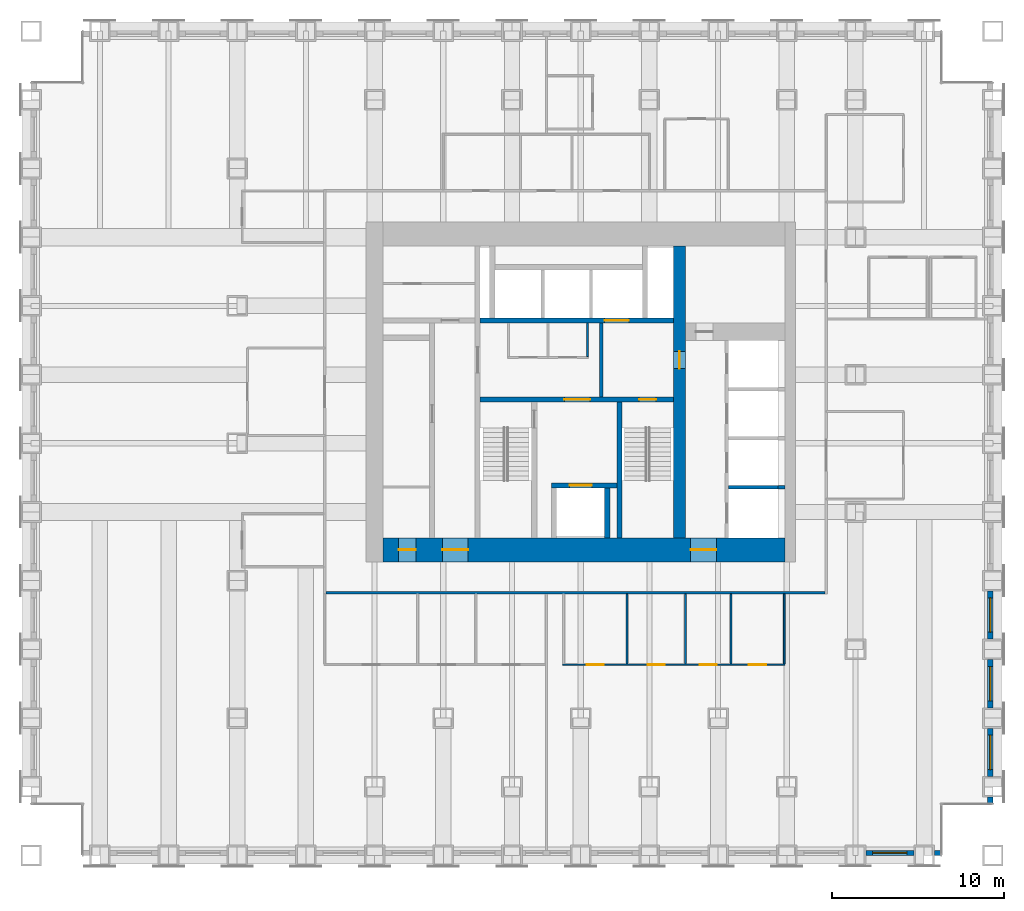
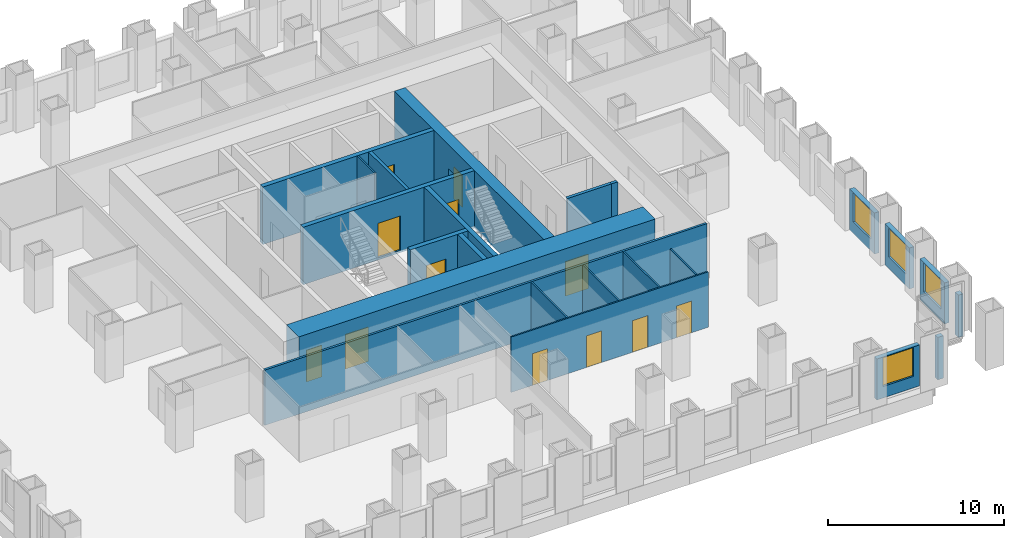
# One storey, part 9 of 14: 23 walls, 12 doors, 4 windows, 16 openings.
"""IFC4 building model written with IfcOpenShell, lengths in metres."""

from ifc_helpers import new_model, si_unit, direction, frame, frame_2d, origin, place, context, subcontext, project, spatial, rectangle, extrude, material, layer, layer_set, type_object, element, fill, save


model = new_model("IFC4")

# Units and contexts
model_context = context("Model", 3, precision=1e-05, world=origin(), true_north=direction((0.0, 1.0)))
body_context = subcontext(model_context, "Body", "Model", "MODEL_VIEW")
ifc_project = project(units=[si_unit("LENGTHUNIT", "METRE"), si_unit("AREAUNIT", "SQUARE_METRE"), si_unit("VOLUMEUNIT", "CUBIC_METRE"), si_unit("PLANEANGLEUNIT", "RADIAN"), si_unit("MASSUNIT", "GRAM", prefix="KILO")], contexts=[model_context])

# Site, building, storey
site_placement = place(None, origin())
site = spatial("IfcSite", under=ifc_project, at=site_placement, CompositionType="ELEMENT")
building_placement = place(site_placement, origin())
building = spatial("IfcBuilding", under=site, at=building_placement, Name="Rimbunsela Tower", CompositionType="ELEMENT")
storey_placement = place(building_placement, frame((0.0, 0.0, 55.0)))
storey = spatial("IfcBuildingStorey", under=building, at=storey_placement, Name="L13", CompositionType="ELEMENT", Elevation=55.0)

# Wall, openings, doors
ifc_material_1 = material(Name="Concrete fc' 80 MPa", Category="concrete")
ifc_layer_1 = layer(ifc_material_1, 0.300048828125)
ifc_layer_set_1 = layer_set([ifc_layer_1], Name="Core internal wall 300")
wall_type_1 = type_object("IfcWallType", Name="Core internal wall 300", PredefinedType="SHEAR", material=ifc_layer_set_1)
wall_1_placement = place(storey_placement, frame((24.14990234375, 26.550048828125, -0.14990234375), z_axis=(0.0, 0.0, 1.0), x_axis=(1.0, 0.0, 0.0)))
wall_1 = element("IfcWall", 1, at=wall_1_placement, inside=storey, type_object=wall_type_1, Name="Core wall lobby south", PredefinedType="SHEAR", context=body_context, shape_type="SweptSolid", body=[
    extrude(rectangle(XDim=11.25, YDim=0.300048828125, at=frame_2d((5.625, 0.0))), origin(), (0.0, 0.0, 1.0), 4.0),
])
opening_1_placement = place(wall_1_placement, frame((9.25, 0.0, 0.14990234375)))
opening_1 = element("IfcOpeningElement", 2, at=opening_1_placement, cuts=wall_1, Name="Opening D01", PredefinedType="OPENING", context=body_context, shape_type="SweptSolid", body=[
    extrude(rectangle(XDim=1.0, YDim=2.199951171875, at=frame_2d((0.5, 1.10009765625))), frame((0.0, 0.159912109375, 0.0), z_axis=(0.0, -1.0, 0.0), x_axis=(1.0, 0.0, 0.0)), (0.0, 0.0, 1.0), 0.320068359375),
])
opening_2_placement = place(wall_1_placement, frame((4.89990234375, 0.0, 0.14990234375)))
opening_2 = element("IfcOpeningElement", 3, at=opening_2_placement, cuts=wall_1, Name="Opening D03", PredefinedType="OPENING", context=body_context, shape_type="SweptSolid", body=[
    extrude(rectangle(XDim=1.5, YDim=2.39990234375, at=frame_2d((0.75, 1.199951171875))), frame((0.0, 0.159912109375, 0.0), z_axis=(0.0, -1.0, 0.0), x_axis=(1.0, 0.0, 0.0)), (0.0, 0.0, 1.0), 0.320068359375),
])
ifc_material_2 = material(Name="Steel door, fire rated", Category="steel")
door_type_1 = type_object("IfcDoorType", Name="Core lobby door 1500", OperationType="DOUBLE_DOOR_DOUBLE_SWING", PredefinedType="DOOR", material=ifc_material_2)
door_1_placement = place(opening_2_placement, origin())
door_1 = element("IfcDoor", 4, at=door_1_placement, inside=storey, type_object=door_type_1, Name="Firefighting lobby door", OperationType="DOUBLE_DOOR_DOUBLE_SWING", OverallHeight=2.39990234375, OverallWidth=1.5, PredefinedType="DOOR", context=body_context, shape_type="SweptSolid", body=[
    extrude(rectangle(XDim=1.5, YDim=2.39990234375, at=frame_2d((0.75, 1.199951171875))), frame((0.0, 0.02490234375, 0.0), z_axis=(0.0, -1.0, 0.0), x_axis=(1.0, 0.0, 0.0)), (0.0, 0.0, 1.0), 0.050048828125),
])
fill(opening_2, door_1)
ifc_material_3 = material(Name="Steel door, fire rated", Category="steel")
door_type_2 = type_object("IfcDoorType", Name="Stair door 1000", OperationType="SINGLE_SWING_RIGHT", PredefinedType="DOOR", material=ifc_material_3)
door_2_placement = place(opening_1_placement, frame((1.0, 0.0, 0.0), z_axis=(0.0, 0.0, 1.0), x_axis=(-1.0, 0.0, 0.0)))
door_2 = element("IfcDoor", 5, at=door_2_placement, inside=storey, type_object=door_type_2, Name="Stair B door", OperationType="SINGLE_SWING_RIGHT", OverallHeight=2.199951171875, OverallWidth=1.0, PredefinedType="DOOR", context=body_context, shape_type="SweptSolid", body=[
    extrude(rectangle(XDim=1.0, YDim=2.199951171875, at=frame_2d((0.5, 1.10009765625))), frame((0.0, 0.02490234375, 0.0), z_axis=(0.0, -1.0, 0.0), x_axis=(1.0, 0.0, 0.0)), (0.0, 0.0, 1.0), 0.050048828125),
])
fill(opening_1, door_2)

# Walls
wall_2_placement = place(storey_placement, frame((32.25, 18.5, -0.14990234375), z_axis=(0.0, 0.0, 1.0), x_axis=(0.0, 1.0, 0.0)))
element("IfcWall", 6, at=wall_2_placement, inside=storey, type_object=wall_type_1, Name="Stair B enclosure", PredefinedType="SHEAR", context=body_context, shape_type="SweptSolid", body=[
    extrude(rectangle(XDim=7.89990234375, YDim=0.300048828125, at=frame_2d((3.949951171875, 0.0))), origin(), (0.0, 0.0, 1.0), 4.0),
])
wall_3_placement = place(storey_placement, frame((31.550048828125, 18.5, -0.14990234375), z_axis=(0.0, 0.0, 1.0), x_axis=(0.0, 1.0, 0.0)))
element("IfcWall", 7, at=wall_3_placement, inside=storey, type_object=wall_type_1, Name="Firefighting lift shaft east", PredefinedType="SHEAR", context=body_context, shape_type="SweptSolid", body=[
    extrude(rectangle(XDim=2.89990234375, YDim=0.300048828125, at=frame_2d((1.449951171875, 0.0))), origin(), (0.0, 0.0, 1.0), 4.0),
])

# Wall, opening, door
wall_4_placement = place(storey_placement, frame((28.300048828125, 21.550048828125, -0.14990234375), z_axis=(0.0, 0.0, 1.0), x_axis=(1.0, 0.0, 0.0)))
wall_4 = element("IfcWall", 8, at=wall_4_placement, inside=storey, type_object=wall_type_1, Name="Firefighting lift shaft front", PredefinedType="SHEAR", context=body_context, shape_type="SweptSolid", body=[
    extrude(rectangle(XDim=3.800048828125, YDim=0.300048828125, at=frame_2d((1.89990234375, 0.0))), origin(), (0.0, 0.0, 1.0), 4.0),
])
opening_3_placement = place(wall_4_placement, frame((1.050048828125, 0.0, 0.14990234375)))
opening_3 = element("IfcOpeningElement", 9, at=opening_3_placement, cuts=wall_4, Name="Opening LD2", PredefinedType="OPENING", context=body_context, shape_type="SweptSolid", body=[
    extrude(rectangle(XDim=1.300048828125, YDim=2.39990234375, at=frame_2d((0.64990234375, 1.199951171875))), frame((0.0, 0.159912109375, 0.0), z_axis=(0.0, -1.0, 0.0), x_axis=(1.0, 0.0, 0.0)), (0.0, 0.0, 1.0), 0.320068359375),
])
ifc_material_4 = material(Name="Steel door, fire rated", Category="steel")
door_type_3 = type_object("IfcDoorType", Name="Lift landing door 1300", OperationType="DOUBLE_DOOR_SLIDING", PredefinedType="DOOR", material=ifc_material_4)
door_3_placement = place(opening_3_placement, origin())
door_3 = element("IfcDoor", 10, at=door_3_placement, inside=storey, type_object=door_type_3, Name="Lift landing door FL1", OperationType="DOUBLE_DOOR_SLIDING", OverallHeight=2.39990234375, OverallWidth=1.300048828125, PredefinedType="DOOR", context=body_context, shape_type="SweptSolid", body=[
    extrude(rectangle(XDim=1.300048828125, YDim=2.39990234375, at=frame_2d((0.64990234375, 1.199951171875))), frame((0.0, 0.02490234375, 0.0), z_axis=(0.0, -1.0, 0.0), x_axis=(1.0, 0.0, 0.0)), (0.0, 0.0, 1.0), 0.050048828125),
])
fill(opening_3, door_3)

wall_5_placement = place(storey_placement, frame((24.14990234375, 31.14990234375, -0.14990234375), z_axis=(0.0, 0.0, 1.0), x_axis=(1.0, 0.0, 0.0)))
wall_5 = element("IfcWall", 11, at=wall_5_placement, inside=storey, type_object=wall_type_1, Name="Lift shaft front north", PredefinedType="SHEAR", context=body_context, shape_type="SweptSolid", body=[
    extrude(rectangle(XDim=11.25, YDim=0.300048828125, at=frame_2d((5.625, 0.0))), origin(), (0.0, 0.0, 1.0), 4.0),
])
opening_4_placement = place(wall_5_placement, frame((7.25, 0.0, 0.14990234375)))
opening_4 = element("IfcOpeningElement", 12, at=opening_4_placement, cuts=wall_5, Name="Opening LD3", PredefinedType="OPENING", context=body_context, shape_type="SweptSolid", body=[
    extrude(rectangle(XDim=1.39990234375, YDim=2.39990234375, at=frame_2d((0.699951171875, 1.199951171875))), frame((0.0, 0.159912109375, 0.0), z_axis=(0.0, -1.0, 0.0), x_axis=(1.0, 0.0, 0.0)), (0.0, 0.0, 1.0), 0.320068359375),
])
ifc_material_5 = material(Name="Steel door, fire rated", Category="steel")
door_type_4 = type_object("IfcDoorType", Name="Lift landing door 1400", OperationType="DOUBLE_DOOR_SLIDING", PredefinedType="DOOR", material=ifc_material_5)
door_4_placement = place(opening_4_placement, origin())
door_4 = element("IfcDoor", 13, at=door_4_placement, inside=storey, type_object=door_type_4, Name="Lift landing door FL2", OperationType="DOUBLE_DOOR_SLIDING", OverallHeight=2.39990234375, OverallWidth=1.39990234375, PredefinedType="DOOR", context=body_context, shape_type="SweptSolid", body=[
    extrude(rectangle(XDim=1.39990234375, YDim=2.39990234375, at=frame_2d((0.699951171875, 1.199951171875))), frame((0.0, 0.02490234375, 0.0), z_axis=(0.0, -1.0, 0.0), x_axis=(1.0, 0.0, 0.0)), (0.0, 0.0, 1.0), 0.050048828125),
])
fill(opening_4, door_4)

# Wall
ifc_material_6 = material(Name="Concrete blockwork", Category="masonry")
ifc_layer_2 = layer(ifc_material_6, 0.10009765625)
ifc_layer_set_2 = layer_set([ifc_layer_2], Name="Core room partition 100")
wall_type_2 = type_object("IfcWallType", Name="Core room partition 100", PredefinedType="PARTITIONING", material=ifc_layer_set_2)
wall_6_placement = place(storey_placement, frame((30.39990234375, 29.050048828125, 0.0), z_axis=(0.0, 0.0, 1.0), x_axis=(0.0, 1.0, 0.0)))
element("IfcWall", 14, at=wall_6_placement, inside=storey, type_object=wall_type_2, Name="Lobby room wall", PredefinedType="PARTITIONING", context=body_context, shape_type="SweptSolid", body=[
    extrude(rectangle(XDim=1.949951171875, YDim=0.10009765625, at=frame_2d((0.97509765625, 0.0))), origin(), (0.0, 0.0, 1.0), 3.85009765625),
])

# Wall, openings, doors
ifc_material_7 = material(Name="Concrete fc' 80 MPa", Category="concrete")
ifc_layer_3 = layer(ifc_material_7, 1.39990234375)
ifc_layer_set_3 = layer_set([ifc_layer_3], Name="Core wall 1400")
wall_type_3 = type_object("IfcWallType", Name="Core wall 1400", PredefinedType="SHEAR", material=ifc_layer_set_3)
wall_7_placement = place(storey_placement, frame((18.5, 17.800048828125, -0.14990234375), z_axis=(0.0, 0.0, 1.0), x_axis=(1.0, 0.0, 0.0)))
wall_7 = element("IfcWall", 15, at=wall_7_placement, inside=storey, type_object=wall_type_3, Name="Core wall south", PredefinedType="SHEAR", context=body_context, shape_type="SweptSolid", body=[
    extrude(rectangle(XDim=23.39990234375, YDim=1.39990234375, at=frame_2d((11.699951171875, 0.0))), origin(), (0.0, 0.0, 1.0), 4.0),
])
opening_5_placement = place(wall_7_placement, frame((3.449951171875, 0.0, 0.14990234375)))
opening_5 = element("IfcOpeningElement", 16, at=opening_5_placement, cuts=wall_7, Name="Opening D03", PredefinedType="OPENING", context=body_context, shape_type="SweptSolid", body=[
    extrude(rectangle(XDim=1.5, YDim=2.39990234375, at=frame_2d((0.75, 1.199951171875))), frame((0.0, 0.7099609375, 0.0), z_axis=(0.0, -1.0, 0.0), x_axis=(1.0, 0.0, 0.0)), (0.0, 0.0, 1.0), 1.419921875),
])
opening_6_placement = place(wall_7_placement, frame((17.89990234375, 0.0, 0.14990234375)))
opening_6 = element("IfcOpeningElement", 17, at=opening_6_placement, cuts=wall_7, Name="Opening D03", PredefinedType="OPENING", context=body_context, shape_type="SweptSolid", body=[
    extrude(rectangle(XDim=1.5, YDim=2.39990234375, at=frame_2d((0.75, 1.199951171875))), frame((0.0, 0.7099609375, 0.0), z_axis=(0.0, -1.0, 0.0), x_axis=(1.0, 0.0, 0.0)), (0.0, 0.0, 1.0), 1.419921875),
])
opening_7_placement = place(wall_7_placement, frame((0.89990234375, 0.0, 0.14990234375)))
opening_7 = element("IfcOpeningElement", 18, at=opening_7_placement, cuts=wall_7, Name="Opening D19", PredefinedType="OPENING", context=body_context, shape_type="SweptSolid", body=[
    extrude(rectangle(XDim=1.0, YDim=2.199951171875, at=frame_2d((0.5, 1.10009765625))), frame((0.0, 0.7099609375, 0.0), z_axis=(0.0, -1.0, 0.0), x_axis=(1.0, 0.0, 0.0)), (0.0, 0.0, 1.0), 1.419921875),
])
door_5_placement = place(opening_5_placement, origin())
door_5 = element("IfcDoor", 19, at=door_5_placement, inside=storey, type_object=door_type_1, Name="Core door south", OperationType="DOUBLE_DOOR_DOUBLE_SWING", OverallHeight=2.39990234375, OverallWidth=1.5, PredefinedType="DOOR", context=body_context, shape_type="SweptSolid", body=[
    extrude(rectangle(XDim=1.5, YDim=2.39990234375, at=frame_2d((0.75, 1.199951171875))), frame((0.0, 0.02490234375, 0.0), z_axis=(0.0, -1.0, 0.0), x_axis=(1.0, 0.0, 0.0)), (0.0, 0.0, 1.0), 0.050048828125),
])
fill(opening_5, door_5)
door_6_placement = place(opening_6_placement, origin())
door_6 = element("IfcDoor", 20, at=door_6_placement, inside=storey, type_object=door_type_1, Name="Core door south-east", OperationType="DOUBLE_DOOR_DOUBLE_SWING", OverallHeight=2.39990234375, OverallWidth=1.5, PredefinedType="DOOR", context=body_context, shape_type="SweptSolid", body=[
    extrude(rectangle(XDim=1.5, YDim=2.39990234375, at=frame_2d((0.75, 1.199951171875))), frame((0.0, 0.02490234375, 0.0), z_axis=(0.0, -1.0, 0.0), x_axis=(1.0, 0.0, 0.0)), (0.0, 0.0, 1.0), 0.050048828125),
])
fill(opening_6, door_6)
ifc_material_8 = material(Name="Steel door, fire rated", Category="steel")
door_type_5 = type_object("IfcDoorType", Name="Service door 1000 fire rated", OperationType="SINGLE_SWING_LEFT", PredefinedType="DOOR", material=ifc_material_8)
door_7_placement = place(opening_7_placement, origin())
door_7 = element("IfcDoor", 21, at=door_7_placement, inside=storey, type_object=door_type_5, Name="Electrical room door", OperationType="SINGLE_SWING_LEFT", OverallHeight=2.199951171875, OverallWidth=1.0, PredefinedType="DOOR", context=body_context, shape_type="SweptSolid", body=[
    extrude(rectangle(XDim=1.0, YDim=2.199951171875, at=frame_2d((0.5, 1.10009765625))), frame((0.0, 0.02490234375, 0.0), z_axis=(0.0, -1.0, 0.0), x_axis=(1.0, 0.0, 0.0)), (0.0, 0.0, 1.0), 0.050048828125),
])
fill(opening_7, door_7)

# Wall, opening, door
ifc_material_9 = material(Name="Concrete fc' 80 MPa", Category="concrete")
ifc_layer_4 = layer(ifc_material_9, 0.699951171875)
ifc_layer_set_4 = layer_set([ifc_layer_4], Name="Core wall 700 east")
wall_type_4 = type_object("IfcWallType", Name="Core wall 700 east", PredefinedType="SHEAR", material=ifc_layer_set_4)
wall_8_placement = place(storey_placement, frame((35.75, 18.5, -0.14990234375), z_axis=(0.0, 0.0, 1.0), x_axis=(0.0, 1.0, 0.0)))
wall_8 = element("IfcWall", 22, at=wall_8_placement, inside=storey, type_object=wall_type_4, Name="Core wall low-rise bank", PredefinedType="SHEAR", context=body_context, shape_type="SweptSolid", body=[
    extrude(rectangle(XDim=17.0, YDim=0.699951171875, at=frame_2d((8.5, 0.0))), origin(), (0.0, 0.0, 1.0), 4.0),
])
opening_8_placement = place(wall_8_placement, frame((9.85009765625, 0.0, 0.14990234375)))
opening_8 = element("IfcOpeningElement", 23, at=opening_8_placement, cuts=wall_8, Name="Opening D01", PredefinedType="OPENING", context=body_context, shape_type="SweptSolid", body=[
    extrude(rectangle(XDim=1.0, YDim=2.199951171875, at=frame_2d((0.5, 1.10009765625))), frame((0.0, 0.35986328125, 0.0), z_axis=(0.0, -1.0, 0.0), x_axis=(1.0, 0.0, 0.0)), (0.0, 0.0, 1.0), 0.719970703125),
])
door_8_placement = place(opening_8_placement, origin())
door_8 = element("IfcDoor", 24, at=door_8_placement, inside=storey, type_object=door_type_2, Name="Firefighting lobby 2 door", OperationType="SINGLE_SWING_RIGHT", OverallHeight=2.199951171875, OverallWidth=1.0, PredefinedType="DOOR", context=body_context, shape_type="SweptSolid", body=[
    extrude(rectangle(XDim=1.0, YDim=2.199951171875, at=frame_2d((0.5, 1.10009765625))), frame((0.0, 0.02490234375, 0.0), z_axis=(0.0, -1.0, 0.0), x_axis=(1.0, 0.0, 0.0)), (0.0, 0.0, 1.0), 0.050048828125),
])
fill(opening_8, door_8)

# Walls
ifc_material_10 = material(Name="Concrete blockwork", Category="masonry")
ifc_layer_5 = layer(ifc_material_10, 0.199951171875)
ifc_layer_set_5 = layer_set([ifc_layer_5], Name="Lift shaft wall 200")
wall_type_5 = type_object("IfcWallType", Name="Lift shaft wall 200", PredefinedType="SOLIDWALL", material=ifc_layer_set_5)
wall_9_placement = place(storey_placement, frame((38.60009765625, 21.449951171875, -0.14990234375), z_axis=(0.0, 0.0, 1.0), x_axis=(1.0, 0.0, 0.0)))
element("IfcWall", 25, at=wall_9_placement, inside=storey, type_object=wall_type_5, Name="Lift shaft separation", PredefinedType="SOLIDWALL", context=body_context, shape_type="SweptSolid", body=[
    extrude(rectangle(XDim=2.89990234375, YDim=0.199951171875, at=frame_2d((1.449951171875, 0.0))), origin(), (0.0, 0.0, 1.0), 4.0),
])
wall_10_placement = place(storey_placement, frame((41.5, 21.449951171875, -0.14990234375), z_axis=(0.0, 0.0, 1.0), x_axis=(1.0, 0.0, 0.0)))
element("IfcWall", 26, at=wall_10_placement, inside=storey, type_object=wall_type_5, Name="Lift shaft separation", PredefinedType="SOLIDWALL", context=body_context, shape_type="SweptSolid", body=[
    extrude(rectangle(XDim=0.39990234375, YDim=0.199951171875, at=frame_2d((0.199951171875, 0.0))), origin(), (0.0, 0.0, 1.0), 4.0),
])
wall_11_placement = place(storey_placement, frame((31.199951171875, 26.699951171875, 0.0), z_axis=(0.0, 0.0, 1.0), x_axis=(0.0, 1.0, 0.0)))
element("IfcWall", 27, at=wall_11_placement, inside=storey, type_object=wall_type_5, Name="Firefighting lobby 2 wall", PredefinedType="SOLIDWALL", context=body_context, shape_type="SweptSolid", body=[
    extrude(rectangle(XDim=4.300048828125, YDim=0.199951171875, at=frame_2d((2.14990234375, 0.0))), origin(), (0.0, 0.0, 1.0), 3.85009765625),
])

# Wall, openings, doors
ifc_material_11 = material(Name="Gypsum board on steel studs", Category="steel")
ifc_layer_6 = layer(ifc_material_11, 0.10009765625)
ifc_layer_set_6 = layer_set([ifc_layer_6], Name="Office partition 100")
wall_type_6 = type_object("IfcWallType", Name="Office partition 100", PredefinedType="PARTITIONING", material=ifc_layer_set_6)
wall_12_placement = place(storey_placement, frame((28.948974609375, 11.10009765625, 0.0), z_axis=(0.0, 0.0, 1.0), x_axis=(1.0, 0.0, 0.0)))
wall_12 = element("IfcWall", 28, at=wall_12_placement, inside=storey, type_object=wall_type_6, Name="Office partition", PredefinedType="PARTITIONING", context=body_context, shape_type="SweptSolid", body=[
    extrude(rectangle(XDim=12.949951171875, YDim=0.10009765625, at=frame_2d((6.47509765625, 0.0))), origin(), (0.0, 0.0, 1.0), 3.85009765625),
])
opening_9_placement = place(wall_12_placement, frame((1.39990234375, 0.0, 0.0)))
opening_9 = element("IfcOpeningElement", 29, at=opening_9_placement, cuts=wall_12, Name="Opening D17", PredefinedType="OPENING", context=body_context, shape_type="SweptSolid", body=[
    extrude(rectangle(XDim=1.0, YDim=2.199951171875, at=frame_2d((0.5, 1.10009765625))), frame((0.0, 0.06005859375, 0.0), z_axis=(0.0, -1.0, 0.0), x_axis=(1.0, 0.0, 0.0)), (0.0, 0.0, 1.0), 0.1201171875),
])
opening_10_placement = place(wall_12_placement, frame((4.949951171875, 0.0, 0.0)))
opening_10 = element("IfcOpeningElement", 30, at=opening_10_placement, cuts=wall_12, Name="Opening D16", PredefinedType="OPENING", context=body_context, shape_type="SweptSolid", body=[
    extrude(rectangle(XDim=1.0, YDim=2.199951171875, at=frame_2d((0.5, 1.10009765625))), frame((0.0, 0.06005859375, 0.0), z_axis=(0.0, -1.0, 0.0), x_axis=(1.0, 0.0, 0.0)), (0.0, 0.0, 1.0), 0.1201171875),
])
opening_11_placement = place(wall_12_placement, frame((7.97509765625, 0.0, 0.0)))
opening_11 = element("IfcOpeningElement", 31, at=opening_11_placement, cuts=wall_12, Name="Opening D16", PredefinedType="OPENING", context=body_context, shape_type="SweptSolid", body=[
    extrude(rectangle(XDim=1.0, YDim=2.199951171875, at=frame_2d((0.5, 1.10009765625))), frame((0.0, 0.06005859375, 0.0), z_axis=(0.0, -1.0, 0.0), x_axis=(1.0, 0.0, 0.0)), (0.0, 0.0, 1.0), 0.1201171875),
])
opening_12_placement = place(wall_12_placement, frame((10.85009765625, 0.0, 0.0)))
opening_12 = element("IfcOpeningElement", 32, at=opening_12_placement, cuts=wall_12, Name="Opening D16", PredefinedType="OPENING", context=body_context, shape_type="SweptSolid", body=[
    extrude(rectangle(XDim=1.0, YDim=2.199951171875, at=frame_2d((0.5, 1.10009765625))), frame((0.0, 0.06005859375, 0.0), z_axis=(0.0, -1.0, 0.0), x_axis=(1.0, 0.0, 0.0)), (0.0, 0.0, 1.0), 0.1201171875),
])
ifc_material_12 = material(Name="Glazed aluminium door", Category="aluminium")
door_type_6 = type_object("IfcDoorType", Name="Meeting room door 1000 glazed", OperationType="SINGLE_SWING_RIGHT", PredefinedType="DOOR", material=ifc_material_12)
door_9_placement = place(opening_9_placement, origin())
door_9 = element("IfcDoor", 33, at=door_9_placement, inside=storey, type_object=door_type_6, Name="Meeting room door", OperationType="SINGLE_SWING_RIGHT", OverallHeight=2.199951171875, OverallWidth=1.0, PredefinedType="DOOR", context=body_context, shape_type="SweptSolid", body=[
    extrude(rectangle(XDim=1.0, YDim=2.199951171875, at=frame_2d((0.5, 1.10009765625))), frame((0.0, 0.02490234375, 0.0), z_axis=(0.0, -1.0, 0.0), x_axis=(1.0, 0.0, 0.0)), (0.0, 0.0, 1.0), 0.050048828125),
])
fill(opening_9, door_9)
ifc_material_13 = material(Name="Timber door", Category="wood")
door_type_7 = type_object("IfcDoorType", Name="Office door 1000", OperationType="SINGLE_SWING_LEFT", PredefinedType="DOOR", material=ifc_material_13)
door_10_placement = place(opening_10_placement, origin())
door_10 = element("IfcDoor", 34, at=door_10_placement, inside=storey, type_object=door_type_7, Name="Office door", OperationType="SINGLE_SWING_LEFT", OverallHeight=2.199951171875, OverallWidth=1.0, PredefinedType="DOOR", context=body_context, shape_type="SweptSolid", body=[
    extrude(rectangle(XDim=1.0, YDim=2.199951171875, at=frame_2d((0.5, 1.10009765625))), frame((0.0, 0.02490234375, 0.0), z_axis=(0.0, -1.0, 0.0), x_axis=(1.0, 0.0, 0.0)), (0.0, 0.0, 1.0), 0.050048828125),
])
fill(opening_10, door_10)
door_11_placement = place(opening_11_placement, origin())
door_11 = element("IfcDoor", 35, at=door_11_placement, inside=storey, type_object=door_type_7, Name="Office door", OperationType="SINGLE_SWING_LEFT", OverallHeight=2.199951171875, OverallWidth=1.0, PredefinedType="DOOR", context=body_context, shape_type="SweptSolid", body=[
    extrude(rectangle(XDim=1.0, YDim=2.199951171875, at=frame_2d((0.5, 1.10009765625))), frame((0.0, 0.02490234375, 0.0), z_axis=(0.0, -1.0, 0.0), x_axis=(1.0, 0.0, 0.0)), (0.0, 0.0, 1.0), 0.050048828125),
])
fill(opening_11, door_11)
door_12_placement = place(opening_12_placement, origin())
door_12 = element("IfcDoor", 36, at=door_12_placement, inside=storey, type_object=door_type_7, Name="Office door", OperationType="SINGLE_SWING_LEFT", OverallHeight=2.199951171875, OverallWidth=1.0, PredefinedType="DOOR", context=body_context, shape_type="SweptSolid", body=[
    extrude(rectangle(XDim=1.0, YDim=2.199951171875, at=frame_2d((0.5, 1.10009765625))), frame((0.0, 0.02490234375, 0.0), z_axis=(0.0, -1.0, 0.0), x_axis=(1.0, 0.0, 0.0)), (0.0, 0.0, 1.0), 0.050048828125),
])
fill(opening_12, door_12)

# Walls
for number, where, z_axis, x_axis, name in (
    (37, (32.698974609375, 11.14990234375, 0.0), (0.0, 0.0, 1.0), (0.0, 1.0, 0.0), "Office partition"),
    (38, (36.09912109375, 11.14990234375, 0.0), (0.0, 0.0, 1.0), (0.0, 1.0, 0.0), "Office partition"),
    (39, (38.7490234375, 11.14990234375, 0.0), (0.0, 0.0, 1.0), (0.0, 1.0, 0.0), "Office partition"),
):
    element("IfcWall", number, at=place(storey_placement, frame(where, z_axis=z_axis, x_axis=x_axis)), inside=storey, type_object=wall_type_6, Name=name, PredefinedType="PARTITIONING", context=body_context, shape_type="SweptSolid", body=[
        extrude(rectangle(XDim=4.0751953125, YDim=0.10009765625, at=frame_2d((2.03759765625, 0.0))), origin(), (0.0, 0.0, 1.0), 3.85009765625),
    ])
wall_13_placement = place(storey_placement, frame((41.84912109375, 11.14990234375, 0.0), z_axis=(0.0, 0.0, 1.0), x_axis=(0.0, 1.0, 0.0)))
element("IfcWall", 40, at=wall_13_placement, inside=storey, type_object=wall_type_6, Name="Office partition", PredefinedType="PARTITIONING", context=body_context, shape_type="SweptSolid", body=[
    extrude(rectangle(XDim=4.0751953125, YDim=0.10009765625, at=frame_2d((2.03759765625, 0.0))), origin(), (0.0, 0.0, 1.0), 2.949951171875),
])

# Wall, opening, window
ifc_material_14 = material(Name="Precast concrete fc' 35 MPa", Category="concrete")
ifc_layer_7 = layer(ifc_material_14, 0.300048828125)
ifc_layer_set_7 = layer_set([ifc_layer_7], Name="Precast concrete fc' 35 MPa")
wall_type_7 = type_object("IfcWallType", Name="Precast facade panel 300", PredefinedType="ELEMENTEDWALL", material=ifc_layer_set_7)
wall_14_placement = place(storey_placement, frame((46.60009765625, 0.14990234375, 0.0), z_axis=(0.0, 0.0, 1.0), x_axis=(1.0, 0.0, 0.0)))
wall_14 = element("IfcWall", 41, at=wall_14_placement, inside=storey, type_object=wall_type_7, Name="Facade panel S L13", PredefinedType="ELEMENTEDWALL", context=body_context, shape_type="SweptSolid", body=[
    extrude(rectangle(XDim=2.7998046875, YDim=0.300048828125, at=frame_2d((1.39990234375, 0.0))), origin(), (0.0, 0.0, 1.0), 2.85009765625),
])
opening_13_placement = place(wall_14_placement, frame((0.39990234375, 0.0, 0.800048828125)))
opening_13 = element("IfcOpeningElement", 42, at=opening_13_placement, cuts=wall_14, Name="Opening W1", PredefinedType="OPENING", context=body_context, shape_type="SweptSolid", body=[
    extrude(rectangle(XDim=2.0, YDim=2.0, at=frame_2d((1.0, 1.0))), frame((0.0, 0.159912109375, 0.0), z_axis=(0.0, -1.0, 0.0), x_axis=(1.0, 0.0, 0.0)), (0.0, 0.0, 1.0), 0.320068359375),
])
ifc_material_15 = material(Name="Clear glass in aluminium frame", Category="aluminium")
window_type = type_object("IfcWindowType", Name="Window W1 2000x2000", PartitioningType="DOUBLE_PANEL_VERTICAL", PredefinedType="WINDOW", material=ifc_material_15)
window_1_placement = place(opening_13_placement, origin())
window_1 = element("IfcWindow", 43, at=window_1_placement, inside=storey, type_object=window_type, Name="Window L13", OverallHeight=2.0, OverallWidth=2.0, PartitioningType="SINGLE_PANEL", PredefinedType="WINDOW", context=body_context, shape_type="SweptSolid", body=[
    extrude(rectangle(XDim=2.0, YDim=2.0, at=frame_2d((1.0, 1.0))), frame((0.0, 0.030029296875, 0.0), z_axis=(0.0, -1.0, 0.0), x_axis=(1.0, 0.0, 0.0)), (0.0, 0.0, 1.0), 0.06005859375),
])
fill(opening_13, window_1)

# Walls
for number, where, z_axis, x_axis, name in (
    (44, (50.60009765625, 0.14990234375, 0.0), (0.0, 0.0, 1.0), (1.0, 0.0, 0.0), "Facade panel S L13"),
    (45, (53.85009765625, 3.030029296875, 0.0), (0.0, 0.0, 1.0), (0.0, 1.0, 0.0), "Facade panel E L13"),
):
    element("IfcWall", number, at=place(storey_placement, frame(where, z_axis=z_axis, x_axis=x_axis)), inside=storey, type_object=wall_type_7, Name=name, PredefinedType="ELEMENTEDWALL", context=body_context, shape_type="SweptSolid", body=[
        extrude(rectangle(XDim=0.369873046875, YDim=0.300048828125, at=frame_2d((0.18505859375, 0.0))), origin(), (0.0, 0.0, 1.0), 2.949951171875),
    ])

# Wall, opening, window
wall_15_placement = place(storey_placement, frame((53.85009765625, 4.60009765625, 0.0), z_axis=(0.0, 0.0, 1.0), x_axis=(0.0, 1.0, 0.0)))
wall_15 = element("IfcWall", 46, at=wall_15_placement, inside=storey, type_object=wall_type_7, Name="Facade panel E L13", PredefinedType="ELEMENTEDWALL", context=body_context, shape_type="SweptSolid", body=[
    extrude(rectangle(XDim=2.7998046875, YDim=0.300048828125, at=frame_2d((1.39990234375, 0.0))), origin(), (0.0, 0.0, 1.0), 2.85009765625),
])
opening_14_placement = place(wall_15_placement, frame((0.39990234375, 0.0, 0.800048828125)))
opening_14 = element("IfcOpeningElement", 47, at=opening_14_placement, cuts=wall_15, Name="Opening W1", PredefinedType="OPENING", context=body_context, shape_type="SweptSolid", body=[
    extrude(rectangle(XDim=2.0, YDim=2.0, at=frame_2d((1.0, 1.0))), frame((0.0, 0.159912109375, 0.0), z_axis=(0.0, -1.0, 0.0), x_axis=(1.0, 0.0, 0.0)), (0.0, 0.0, 1.0), 0.320068359375),
])
window_2_placement = place(opening_14_placement, origin())
window_2 = element("IfcWindow", 48, at=window_2_placement, inside=storey, type_object=window_type, Name="Window L13", OverallHeight=2.0, OverallWidth=2.0, PartitioningType="SINGLE_PANEL", PredefinedType="WINDOW", context=body_context, shape_type="SweptSolid", body=[
    extrude(rectangle(XDim=2.0, YDim=2.0, at=frame_2d((1.0, 1.0))), frame((0.0, 0.030029296875, 0.0), z_axis=(0.0, -1.0, 0.0), x_axis=(1.0, 0.0, 0.0)), (0.0, 0.0, 1.0), 0.06005859375),
])
fill(opening_14, window_2)

wall_16_placement = place(storey_placement, frame((53.85009765625, 8.60009765625, 0.0), z_axis=(0.0, 0.0, 1.0), x_axis=(0.0, 1.0, 0.0)))
wall_16 = element("IfcWall", 49, at=wall_16_placement, inside=storey, type_object=wall_type_7, Name="Facade panel E L13", PredefinedType="ELEMENTEDWALL", context=body_context, shape_type="SweptSolid", body=[
    extrude(rectangle(XDim=2.7998046875, YDim=0.300048828125, at=frame_2d((1.39990234375, 0.0))), origin(), (0.0, 0.0, 1.0), 2.85009765625),
])
opening_15_placement = place(wall_16_placement, frame((0.39990234375, 0.0, 0.800048828125)))
opening_15 = element("IfcOpeningElement", 50, at=opening_15_placement, cuts=wall_16, Name="Opening W1", PredefinedType="OPENING", context=body_context, shape_type="SweptSolid", body=[
    extrude(rectangle(XDim=2.0, YDim=2.0, at=frame_2d((1.0, 1.0))), frame((0.0, 0.159912109375, 0.0), z_axis=(0.0, -1.0, 0.0), x_axis=(1.0, 0.0, 0.0)), (0.0, 0.0, 1.0), 0.320068359375),
])
window_3_placement = place(opening_15_placement, origin())
window_3 = element("IfcWindow", 51, at=window_3_placement, inside=storey, type_object=window_type, Name="Window L13", OverallHeight=2.0, OverallWidth=2.0, PartitioningType="SINGLE_PANEL", PredefinedType="WINDOW", context=body_context, shape_type="SweptSolid", body=[
    extrude(rectangle(XDim=2.0, YDim=2.0, at=frame_2d((1.0, 1.0))), frame((0.0, 0.030029296875, 0.0), z_axis=(0.0, -1.0, 0.0), x_axis=(1.0, 0.0, 0.0)), (0.0, 0.0, 1.0), 0.06005859375),
])
fill(opening_15, window_3)

wall_17_placement = place(storey_placement, frame((53.85009765625, 12.60009765625, 0.0), z_axis=(0.0, 0.0, 1.0), x_axis=(0.0, 1.0, 0.0)))
wall_17 = element("IfcWall", 52, at=wall_17_placement, inside=storey, type_object=wall_type_7, Name="Facade panel E L13", PredefinedType="ELEMENTEDWALL", context=body_context, shape_type="SweptSolid", body=[
    extrude(rectangle(XDim=2.7998046875, YDim=0.300048828125, at=frame_2d((1.39990234375, 0.0))), origin(), (0.0, 0.0, 1.0), 2.85009765625),
])
opening_16_placement = place(wall_17_placement, frame((0.39990234375, 0.0, 0.800048828125)))
opening_16 = element("IfcOpeningElement", 53, at=opening_16_placement, cuts=wall_17, Name="Opening W1", PredefinedType="OPENING", context=body_context, shape_type="SweptSolid", body=[
    extrude(rectangle(XDim=2.0, YDim=2.0, at=frame_2d((1.0, 1.0))), frame((0.0, 0.159912109375, 0.0), z_axis=(0.0, -1.0, 0.0), x_axis=(1.0, 0.0, 0.0)), (0.0, 0.0, 1.0), 0.320068359375),
])
window_4_placement = place(opening_16_placement, origin())
window_4 = element("IfcWindow", 54, at=window_4_placement, inside=storey, type_object=window_type, Name="Window L13", OverallHeight=2.0, OverallWidth=2.0, PartitioningType="SINGLE_PANEL", PredefinedType="WINDOW", context=body_context, shape_type="SweptSolid", body=[
    extrude(rectangle(XDim=2.0, YDim=2.0, at=frame_2d((1.0, 1.0))), frame((0.0, 0.030029296875, 0.0), z_axis=(0.0, -1.0, 0.0), x_axis=(1.0, 0.0, 0.0)), (0.0, 0.0, 1.0), 0.06005859375),
])
fill(opening_16, window_4)

# Wall
ifc_material_16 = material(Name="Fire-rated gypsum board on steel studs, EI 60", Category="steel")
ifc_layer_8 = layer(ifc_material_16, 0.14990234375)
ifc_layer_set_8 = layer_set([ifc_layer_8], Name="Rated corridor wall 150")
wall_type_8 = type_object("IfcWallType", Name="Rated corridor wall 150", PredefinedType="PARTITIONING", material=ifc_layer_set_8)
wall_18_placement = place(storey_placement, frame((15.175048828125, 15.300048828125, 0.0), z_axis=(0.0, 0.0, 1.0), x_axis=(1.0, 0.0, 0.0)))
element("IfcWall", 55, at=wall_18_placement, inside=storey, type_object=wall_type_8, Name="Corridor wall south", PredefinedType="PARTITIONING", context=body_context, shape_type="SweptSolid", body=[
    extrude(rectangle(XDim=29.050048828125, YDim=0.14990234375, at=frame_2d((14.52490234375, 0.0))), origin(), (0.0, 0.0, 1.0), 3.85009765625),
])

save(model, "model.ifc")
